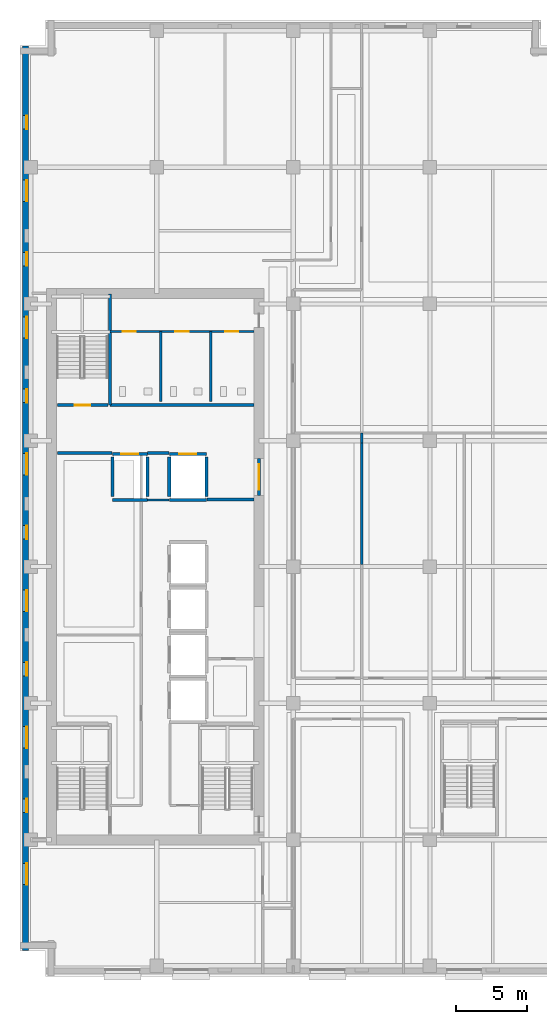
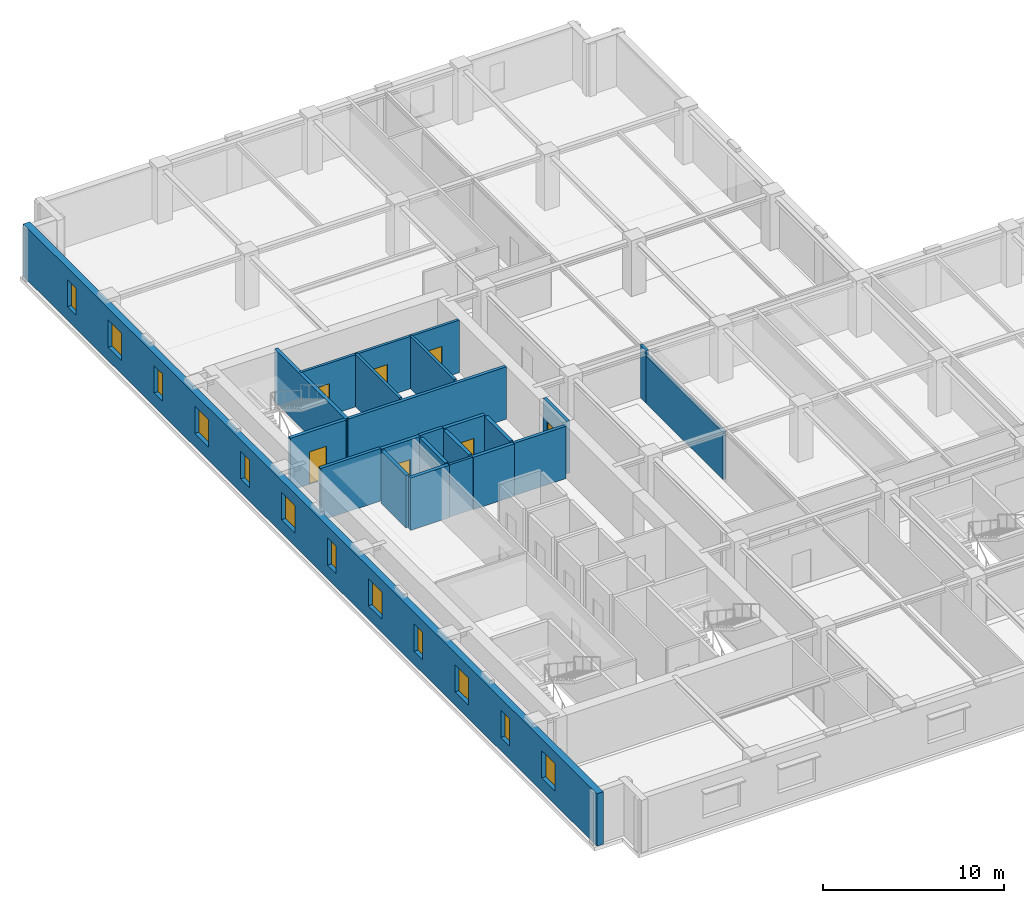
# One storey, part 6 of 13: 22 walls, 12 windows, 7 doors, 19 openings.
"""IFC4 building model written with IfcOpenShell, lengths in metres."""

from ifc_helpers import new_model, si_unit, direction, frame, frame_2d, origin, place, context, subcontext, project, spatial, rectangle, extrude, material, layer, layer_set, type_object, element, fill, save


model = new_model("IFC4")

# Units and contexts
model_context = context("Model", 3, precision=1e-05, world=origin(), true_north=direction((0.0, 1.0)))
body_context = subcontext(model_context, "Body", "Model", "MODEL_VIEW")
ifc_project = project(units=[si_unit("LENGTHUNIT", "METRE"), si_unit("AREAUNIT", "SQUARE_METRE"), si_unit("VOLUMEUNIT", "CUBIC_METRE"), si_unit("PLANEANGLEUNIT", "RADIAN"), si_unit("MASSUNIT", "GRAM", prefix="KILO")], contexts=[model_context])

# Site, building, storey
site_placement = place(None, origin())
site = spatial("IfcSite", under=ifc_project, at=site_placement, CompositionType="ELEMENT")
building_placement = place(site_placement, origin())
building = spatial("IfcBuilding", under=site, at=building_placement, Name="Norrvale University Quadrangle", CompositionType="ELEMENT")
storey_placement = place(building_placement, frame((0.0, 0.0, 175.0)))
storey = spatial("IfcBuildingStorey", under=building, at=storey_placement, Name="L44", CompositionType="ELEMENT", Elevation=175.0)

# Wall, openings, windows
ifc_material_1 = material(Name="Buff Norman Clay Brick Masonry", Category="masonry")
ifc_layer_1 = layer(ifc_material_1, 0.419921875, Name="Buff Norman Clay Brick Masonry")
ifc_layer_set_1 = layer_set([ifc_layer_1], Name="Buff Norman Clay Brick Masonry")
wall_type_1 = type_object("IfcWallType", Name="Wall Buff Brick 420", PredefinedType="SOLIDWALL", material=ifc_layer_set_1)
wall_1_placement = place(storey_placement, frame((0.389892578125, 65.360107421875, 0.0), z_axis=(0.0, 0.0, 1.0), x_axis=(0.0, -1.0, 0.0)))
wall_1 = element("IfcWall", 1, at=wall_1_placement, inside=storey, type_object=wall_type_1, Name="Exterior Brick Facade Wall L44-14.1", PredefinedType="SOLIDWALL", context=body_context, shape_type="SweptSolid", body=[
    extrude(rectangle(XDim=63.52001953125, YDim=0.419921875, at=frame_2d((31.760009765625, 0.0))), origin(), (0.0, 0.0, 1.0), 3.5400390625),
])
opening_1_placement = place(wall_1_placement, frame((4.885009765625, 0.0, 0.89990234375)))
opening_1 = element("IfcOpeningElement", 2, at=opening_1_placement, cuts=wall_1, Name="Opening W04", PredefinedType="OPENING", context=body_context, shape_type="SweptSolid", body=[
    extrude(rectangle(XDim=0.949951171875, YDim=1.85009765625, at=frame_2d((0.47509765625, 0.925048828125))), frame((0.0, 0.221923828125, 0.0), z_axis=(0.0, -1.0, 0.0), x_axis=(1.0, 0.0, 0.0)), (0.0, 0.0, 1.0), 0.44384765625),
])
opening_2_placement = place(wall_1_placement, frame((9.409912109375, 0.0, 0.89990234375)))
opening_2 = element("IfcOpeningElement", 3, at=opening_2_placement, cuts=wall_1, Name="Opening W03", PredefinedType="OPENING", context=body_context, shape_type="SweptSolid", body=[
    extrude(rectangle(XDim=1.5, YDim=1.85009765625, at=frame_2d((0.75, 0.925048828125))), frame((0.0, 0.221923828125, 0.0), z_axis=(0.0, -1.0, 0.0), x_axis=(1.0, 0.0, 0.0)), (0.0, 0.0, 1.0), 0.44384765625),
])
opening_3_placement = place(wall_1_placement, frame((14.485107421875, 0.0, 0.89990234375)))
opening_3 = element("IfcOpeningElement", 4, at=opening_3_placement, cuts=wall_1, Name="Opening W04", PredefinedType="OPENING", context=body_context, shape_type="SweptSolid", body=[
    extrude(rectangle(XDim=0.949951171875, YDim=1.85009765625, at=frame_2d((0.47509765625, 0.925048828125))), frame((0.0, 0.221923828125, 0.0), z_axis=(0.0, -1.0, 0.0), x_axis=(1.0, 0.0, 0.0)), (0.0, 0.0, 1.0), 0.44384765625),
])
opening_4_placement = place(wall_1_placement, frame((19.010009765625, 0.0, 0.89990234375)))
opening_4 = element("IfcOpeningElement", 5, at=opening_4_placement, cuts=wall_1, Name="Opening W03", PredefinedType="OPENING", context=body_context, shape_type="SweptSolid", body=[
    extrude(rectangle(XDim=1.5, YDim=1.85009765625, at=frame_2d((0.75, 0.925048828125))), frame((0.0, 0.221923828125, 0.0), z_axis=(0.0, -1.0, 0.0), x_axis=(1.0, 0.0, 0.0)), (0.0, 0.0, 1.0), 0.44384765625),
])
opening_5_placement = place(wall_1_placement, frame((24.0849609375, 0.0, 0.89990234375)))
opening_5 = element("IfcOpeningElement", 6, at=opening_5_placement, cuts=wall_1, Name="Opening W04", PredefinedType="OPENING", context=body_context, shape_type="SweptSolid", body=[
    extrude(rectangle(XDim=0.949951171875, YDim=1.85009765625, at=frame_2d((0.47509765625, 0.925048828125))), frame((0.0, 0.221923828125, 0.0), z_axis=(0.0, -1.0, 0.0), x_axis=(1.0, 0.0, 0.0)), (0.0, 0.0, 1.0), 0.44384765625),
])
opening_6_placement = place(wall_1_placement, frame((28.610107421875, 0.0, 0.89990234375)))
opening_6 = element("IfcOpeningElement", 7, at=opening_6_placement, cuts=wall_1, Name="Opening W03", PredefinedType="OPENING", context=body_context, shape_type="SweptSolid", body=[
    extrude(rectangle(XDim=1.5, YDim=1.85009765625, at=frame_2d((0.75, 0.925048828125))), frame((0.0, 0.221923828125, 0.0), z_axis=(0.0, -1.0, 0.0), x_axis=(1.0, 0.0, 0.0)), (0.0, 0.0, 1.0), 0.44384765625),
])
opening_7_placement = place(wall_1_placement, frame((33.68505859375, 0.0, 0.89990234375)))
opening_7 = element("IfcOpeningElement", 8, at=opening_7_placement, cuts=wall_1, Name="Opening W04", PredefinedType="OPENING", context=body_context, shape_type="SweptSolid", body=[
    extrude(rectangle(XDim=0.949951171875, YDim=1.85009765625, at=frame_2d((0.47509765625, 0.925048828125))), frame((0.0, 0.221923828125, 0.0), z_axis=(0.0, -1.0, 0.0), x_axis=(1.0, 0.0, 0.0)), (0.0, 0.0, 1.0), 0.44384765625),
])
opening_8_placement = place(wall_1_placement, frame((38.2099609375, 0.0, 0.89990234375)))
opening_8 = element("IfcOpeningElement", 9, at=opening_8_placement, cuts=wall_1, Name="Opening W03", PredefinedType="OPENING", context=body_context, shape_type="SweptSolid", body=[
    extrude(rectangle(XDim=1.5, YDim=1.85009765625, at=frame_2d((0.75, 0.925048828125))), frame((0.0, 0.221923828125, 0.0), z_axis=(0.0, -1.0, 0.0), x_axis=(1.0, 0.0, 0.0)), (0.0, 0.0, 1.0), 0.44384765625),
])
opening_9_placement = place(wall_1_placement, frame((43.284912109375, 0.0, 0.89990234375)))
opening_9 = element("IfcOpeningElement", 10, at=opening_9_placement, cuts=wall_1, Name="Opening W04", PredefinedType="OPENING", context=body_context, shape_type="SweptSolid", body=[
    extrude(rectangle(XDim=0.949951171875, YDim=1.85009765625, at=frame_2d((0.47509765625, 0.925048828125))), frame((0.0, 0.221923828125, 0.0), z_axis=(0.0, -1.0, 0.0), x_axis=(1.0, 0.0, 0.0)), (0.0, 0.0, 1.0), 0.44384765625),
])
opening_10_placement = place(wall_1_placement, frame((47.81005859375, 0.0, 0.89990234375)))
opening_10 = element("IfcOpeningElement", 11, at=opening_10_placement, cuts=wall_1, Name="Opening W03", PredefinedType="OPENING", context=body_context, shape_type="SweptSolid", body=[
    extrude(rectangle(XDim=1.5, YDim=1.85009765625, at=frame_2d((0.75, 0.925048828125))), frame((0.0, 0.221923828125, 0.0), z_axis=(0.0, -1.0, 0.0), x_axis=(1.0, 0.0, 0.0)), (0.0, 0.0, 1.0), 0.44384765625),
])
opening_11_placement = place(wall_1_placement, frame((52.885009765625, 0.0, 0.89990234375)))
opening_11 = element("IfcOpeningElement", 12, at=opening_11_placement, cuts=wall_1, Name="Opening W04", PredefinedType="OPENING", context=body_context, shape_type="SweptSolid", body=[
    extrude(rectangle(XDim=0.949951171875, YDim=1.85009765625, at=frame_2d((0.47509765625, 0.925048828125))), frame((0.0, 0.221923828125, 0.0), z_axis=(0.0, -1.0, 0.0), x_axis=(1.0, 0.0, 0.0)), (0.0, 0.0, 1.0), 0.44384765625),
])
opening_12_placement = place(wall_1_placement, frame((57.409912109375, 0.0, 0.89990234375)))
opening_12 = element("IfcOpeningElement", 13, at=opening_12_placement, cuts=wall_1, Name="Opening W03", PredefinedType="OPENING", context=body_context, shape_type="SweptSolid", body=[
    extrude(rectangle(XDim=1.5, YDim=1.85009765625, at=frame_2d((0.75, 0.925048828125))), frame((0.0, 0.221923828125, 0.0), z_axis=(0.0, -1.0, 0.0), x_axis=(1.0, 0.0, 0.0)), (0.0, 0.0, 1.0), 0.44384765625),
])
ifc_material_2 = material(Name="Triple Low-E Argon Glazing", Category="glass")
window_type_1 = type_object("IfcWindowType", Name="Window Narrow Pier 950x2300", PartitioningType="SINGLE_PANEL", PredefinedType="WINDOW", material=ifc_material_2)
window_1_placement = place(opening_1_placement, origin())
window_1 = element("IfcWindow", 14, at=window_1_placement, inside=storey, type_object=window_type_1, Name="Window Narrow Pier 950x2300 WIN-L44-E14-1-01", OverallHeight=1.85009765625, OverallWidth=0.949951171875, PartitioningType="SINGLE_PANEL", PredefinedType="WINDOW", context=body_context, shape_type="SweptSolid", body=[
    extrude(rectangle(XDim=0.949951171875, YDim=1.85009765625, at=frame_2d((0.47509765625, 0.925048828125))), frame((0.0, 0.110107421875, 0.0), z_axis=(0.0, -1.0, 0.0), x_axis=(1.0, 0.0, 0.0)), (0.0, 0.0, 1.0), 0.06005859375),
])
fill(opening_1, window_1)
window_2_placement = place(opening_3_placement, origin())
window_2 = element("IfcWindow", 15, at=window_2_placement, inside=storey, type_object=window_type_1, Name="Window Narrow Pier 950x2300 WIN-L44-E14-1-03", OverallHeight=1.85009765625, OverallWidth=0.949951171875, PartitioningType="SINGLE_PANEL", PredefinedType="WINDOW", context=body_context, shape_type="SweptSolid", body=[
    extrude(rectangle(XDim=0.949951171875, YDim=1.85009765625, at=frame_2d((0.47509765625, 0.925048828125))), frame((0.0, 0.110107421875, 0.0), z_axis=(0.0, -1.0, 0.0), x_axis=(1.0, 0.0, 0.0)), (0.0, 0.0, 1.0), 0.06005859375),
])
fill(opening_3, window_2)
window_3_placement = place(opening_5_placement, origin())
window_3 = element("IfcWindow", 16, at=window_3_placement, inside=storey, type_object=window_type_1, Name="Window Narrow Pier 950x2300 WIN-L44-E14-1-05", OverallHeight=1.85009765625, OverallWidth=0.949951171875, PartitioningType="SINGLE_PANEL", PredefinedType="WINDOW", context=body_context, shape_type="SweptSolid", body=[
    extrude(rectangle(XDim=0.949951171875, YDim=1.85009765625, at=frame_2d((0.47509765625, 0.925048828125))), frame((0.0, 0.110107421875, 0.0), z_axis=(0.0, -1.0, 0.0), x_axis=(1.0, 0.0, 0.0)), (0.0, 0.0, 1.0), 0.06005859375),
])
fill(opening_5, window_3)
window_4_placement = place(opening_7_placement, origin())
window_4 = element("IfcWindow", 17, at=window_4_placement, inside=storey, type_object=window_type_1, Name="Window Narrow Pier 950x2300 WIN-L44-E14-1-07", OverallHeight=1.85009765625, OverallWidth=0.949951171875, PartitioningType="SINGLE_PANEL", PredefinedType="WINDOW", context=body_context, shape_type="SweptSolid", body=[
    extrude(rectangle(XDim=0.949951171875, YDim=1.85009765625, at=frame_2d((0.47509765625, 0.925048828125))), frame((0.0, 0.110107421875, 0.0), z_axis=(0.0, -1.0, 0.0), x_axis=(1.0, 0.0, 0.0)), (0.0, 0.0, 1.0), 0.06005859375),
])
fill(opening_7, window_4)
window_5_placement = place(opening_9_placement, origin())
window_5 = element("IfcWindow", 18, at=window_5_placement, inside=storey, type_object=window_type_1, Name="Window Narrow Pier 950x2300 WIN-L44-E14-1-09", OverallHeight=1.85009765625, OverallWidth=0.949951171875, PartitioningType="SINGLE_PANEL", PredefinedType="WINDOW", context=body_context, shape_type="SweptSolid", body=[
    extrude(rectangle(XDim=0.949951171875, YDim=1.85009765625, at=frame_2d((0.47509765625, 0.925048828125))), frame((0.0, 0.110107421875, 0.0), z_axis=(0.0, -1.0, 0.0), x_axis=(1.0, 0.0, 0.0)), (0.0, 0.0, 1.0), 0.06005859375),
])
fill(opening_9, window_5)
window_6_placement = place(opening_11_placement, origin())
window_6 = element("IfcWindow", 19, at=window_6_placement, inside=storey, type_object=window_type_1, Name="Window Narrow Pier 950x2300 WIN-L44-E14-1-11", OverallHeight=1.85009765625, OverallWidth=0.949951171875, PartitioningType="SINGLE_PANEL", PredefinedType="WINDOW", context=body_context, shape_type="SweptSolid", body=[
    extrude(rectangle(XDim=0.949951171875, YDim=1.85009765625, at=frame_2d((0.47509765625, 0.925048828125))), frame((0.0, 0.110107421875, 0.0), z_axis=(0.0, -1.0, 0.0), x_axis=(1.0, 0.0, 0.0)), (0.0, 0.0, 1.0), 0.06005859375),
])
fill(opening_11, window_6)
window_type_2 = type_object("IfcWindowType", Name="Window Studio 1500x2300", PartitioningType="DOUBLE_PANEL_VERTICAL", PredefinedType="WINDOW", material=ifc_material_2)
window_7_placement = place(opening_2_placement, origin())
window_7 = element("IfcWindow", 20, at=window_7_placement, inside=storey, type_object=window_type_2, Name="Window Studio 1500x2300 WIN-L44-E14-1-02", OverallHeight=1.85009765625, OverallWidth=1.5, PartitioningType="DOUBLE_PANEL_VERTICAL", PredefinedType="WINDOW", context=body_context, shape_type="SweptSolid", body=[
    extrude(rectangle(XDim=1.5, YDim=1.85009765625, at=frame_2d((0.75, 0.925048828125))), frame((0.0, 0.110107421875, 0.0), z_axis=(0.0, -1.0, 0.0), x_axis=(1.0, 0.0, 0.0)), (0.0, 0.0, 1.0), 0.06005859375),
])
fill(opening_2, window_7)
window_8_placement = place(opening_4_placement, origin())
window_8 = element("IfcWindow", 21, at=window_8_placement, inside=storey, type_object=window_type_2, Name="Window Studio 1500x2300 WIN-L44-E14-1-04", OverallHeight=1.85009765625, OverallWidth=1.5, PartitioningType="DOUBLE_PANEL_VERTICAL", PredefinedType="WINDOW", context=body_context, shape_type="SweptSolid", body=[
    extrude(rectangle(XDim=1.5, YDim=1.85009765625, at=frame_2d((0.75, 0.925048828125))), frame((0.0, 0.110107421875, 0.0), z_axis=(0.0, -1.0, 0.0), x_axis=(1.0, 0.0, 0.0)), (0.0, 0.0, 1.0), 0.06005859375),
])
fill(opening_4, window_8)
window_9_placement = place(opening_6_placement, origin())
window_9 = element("IfcWindow", 22, at=window_9_placement, inside=storey, type_object=window_type_2, Name="Window Studio 1500x2300 WIN-L44-E14-1-06", OverallHeight=1.85009765625, OverallWidth=1.5, PartitioningType="DOUBLE_PANEL_VERTICAL", PredefinedType="WINDOW", context=body_context, shape_type="SweptSolid", body=[
    extrude(rectangle(XDim=1.5, YDim=1.85009765625, at=frame_2d((0.75, 0.925048828125))), frame((0.0, 0.110107421875, 0.0), z_axis=(0.0, -1.0, 0.0), x_axis=(1.0, 0.0, 0.0)), (0.0, 0.0, 1.0), 0.06005859375),
])
fill(opening_6, window_9)
window_10_placement = place(opening_8_placement, origin())
window_10 = element("IfcWindow", 23, at=window_10_placement, inside=storey, type_object=window_type_2, Name="Window Studio 1500x2300 WIN-L44-E14-1-08", OverallHeight=1.85009765625, OverallWidth=1.5, PartitioningType="DOUBLE_PANEL_VERTICAL", PredefinedType="WINDOW", context=body_context, shape_type="SweptSolid", body=[
    extrude(rectangle(XDim=1.5, YDim=1.85009765625, at=frame_2d((0.75, 0.925048828125))), frame((0.0, 0.110107421875, 0.0), z_axis=(0.0, -1.0, 0.0), x_axis=(1.0, 0.0, 0.0)), (0.0, 0.0, 1.0), 0.06005859375),
])
fill(opening_8, window_10)
window_11_placement = place(opening_10_placement, origin())
window_11 = element("IfcWindow", 24, at=window_11_placement, inside=storey, type_object=window_type_2, Name="Window Studio 1500x2300 WIN-L44-E14-1-10", OverallHeight=1.85009765625, OverallWidth=1.5, PartitioningType="DOUBLE_PANEL_VERTICAL", PredefinedType="WINDOW", context=body_context, shape_type="SweptSolid", body=[
    extrude(rectangle(XDim=1.5, YDim=1.85009765625, at=frame_2d((0.75, 0.925048828125))), frame((0.0, 0.110107421875, 0.0), z_axis=(0.0, -1.0, 0.0), x_axis=(1.0, 0.0, 0.0)), (0.0, 0.0, 1.0), 0.06005859375),
])
fill(opening_10, window_11)
window_12_placement = place(opening_12_placement, origin())
window_12 = element("IfcWindow", 25, at=window_12_placement, inside=storey, type_object=window_type_2, Name="Window Studio 1500x2300 WIN-L44-E14-1-12", OverallHeight=1.85009765625, OverallWidth=1.5, PartitioningType="DOUBLE_PANEL_VERTICAL", PredefinedType="WINDOW", context=body_context, shape_type="SweptSolid", body=[
    extrude(rectangle(XDim=1.5, YDim=1.85009765625, at=frame_2d((0.75, 0.925048828125))), frame((0.0, 0.110107421875, 0.0), z_axis=(0.0, -1.0, 0.0), x_axis=(1.0, 0.0, 0.0)), (0.0, 0.0, 1.0), 0.06005859375),
])
fill(opening_12, window_12)

# Walls
ifc_material_3 = material(Name="Fire-Rated Gypsum Stud Partition")
ifc_layer_2 = layer(ifc_material_3, 0.14990234375, Name="Fire-Rated Gypsum Stud Partition")
ifc_layer_set_2 = layer_set([ifc_layer_2], Name="Fire-Rated Gypsum Stud Partition")
wall_type_2 = type_object("IfcWallType", Name="Wall Gypsum Corridor 150", PredefinedType="PARTITIONING", material=ifc_layer_set_2)
wall_2_placement = place(storey_placement, frame((8.965087890625, 33.489990234375, 0.0), z_axis=(0.0, 0.0, 1.0), x_axis=(1.0, 0.0, 0.0)))
element("IfcWall", 26, at=wall_2_placement, inside=storey, type_object=wall_type_2, Name="Interior Partition WL-L44-LL3", PredefinedType="PARTITIONING", context=body_context, shape_type="SweptSolid", body=[
    extrude(rectangle(XDim=1.52001953125, YDim=0.14990234375, at=frame_2d((0.760009765625, 0.0))), origin(), (0.0, 0.0, 1.0), 3.5400390625),
])
ifc_material_4 = material(Name="Acoustic Double-Stud Gypsum Partition")
ifc_layer_3 = layer(ifc_material_4, 0.179931640625, Name="Acoustic Double-Stud Gypsum Partition")
ifc_layer_set_3 = layer_set([ifc_layer_3], Name="Acoustic Double-Stud Gypsum Partition")
wall_type_3 = type_object("IfcWallType", Name="Wall Gypsum Lecture 180", PredefinedType="PARTITIONING", material=ifc_layer_set_3)
wall_3_placement = place(storey_placement, frame((24.0, 28.952392578125, 0.0), z_axis=(0.0, 0.0, 1.0), x_axis=(0.0, 1.0, 0.0)))
element("IfcWall", 27, at=wall_3_placement, inside=storey, type_object=wall_type_3, Name="Interior Partition WL-L44-MEP01-B3", PredefinedType="PARTITIONING", context=body_context, shape_type="SweptSolid", body=[
    extrude(rectangle(XDim=8.545166015625, YDim=0.179931640625, at=frame_2d((4.2724609375, 0.0))), origin(), (0.0, 0.0, 1.0), 3.222900390625),
])
wall_4_placement = place(storey_placement, frame((24.0, 37.49755859375, 0.0), z_axis=(0.0, 0.0, 1.0), x_axis=(0.0, 1.0, 0.0)))
element("IfcWall", 28, at=wall_4_placement, inside=storey, type_object=wall_type_3, Name="Interior Partition WL-L44-MEP01-B4", PredefinedType="PARTITIONING", context=body_context, shape_type="SweptSolid", body=[
    extrude(rectangle(XDim=0.682373046875, YDim=0.179931640625, at=frame_2d((0.34130859375, 0.0))), origin(), (0.0, 0.0, 1.0), 3.5400390625),
])

# Wall, openings, doors
ifc_material_5 = material(Name="Sanitary Chase Gypsum Partition")
ifc_layer_4 = layer(ifc_material_5, 0.1650390625, Name="Sanitary Chase Gypsum Partition")
ifc_layer_set_4 = layer_set([ifc_layer_4], Name="Sanitary Chase Gypsum Partition")
wall_type_4 = type_object("IfcWallType", Name="Wall Gypsum Sanitary 165", PredefinedType="PLUMBINGWALL", material=ifc_layer_set_4)
wall_5_placement = place(storey_placement, frame((6.320068359375, 45.320068359375, 0.0), z_axis=(0.0, 0.0, 1.0), x_axis=(1.0, 0.0, 0.0)))
wall_5 = element("IfcWall", 29, at=wall_5_placement, inside=storey, type_object=wall_type_4, Name="Interior Partition WL-L44-WCN", PredefinedType="PLUMBINGWALL", context=body_context, shape_type="SweptSolid", body=[
    extrude(rectangle(XDim=10.1298828125, YDim=0.1650390625, at=frame_2d((5.06494140625, 0.0))), origin(), (0.0, 0.0, 1.0), 3.5400390625),
])
opening_13_placement = place(wall_5_placement, frame((0.89990234375, 0.0, 0.0)))
opening_13 = element("IfcOpeningElement", 30, at=opening_13_placement, cuts=wall_5, Name="Opening D08", PredefinedType="OPENING", context=body_context, shape_type="SweptSolid", body=[
    extrude(rectangle(XDim=0.919921875, YDim=2.14990234375, at=frame_2d((0.4599609375, 1.074951171875))), frame((0.0, 0.094482421875, 0.0), z_axis=(0.0, -1.0, 0.0), x_axis=(1.0, 0.0, 0.0)), (0.0, 0.0, 1.0), 0.18896484375),
])
opening_14_placement = place(wall_5_placement, frame((4.60009765625, 0.0, 0.0)))
opening_14 = element("IfcOpeningElement", 31, at=opening_14_placement, cuts=wall_5, Name="Opening D08", PredefinedType="OPENING", context=body_context, shape_type="SweptSolid", body=[
    extrude(rectangle(XDim=0.919921875, YDim=2.14990234375, at=frame_2d((0.4599609375, 1.074951171875))), frame((0.0, 0.094482421875, 0.0), z_axis=(0.0, -1.0, 0.0), x_axis=(1.0, 0.0, 0.0)), (0.0, 0.0, 1.0), 0.18896484375),
])
opening_15_placement = place(wall_5_placement, frame((8.10009765625, 0.0, 0.0)))
opening_15 = element("IfcOpeningElement", 32, at=opening_15_placement, cuts=wall_5, Name="Opening D08", PredefinedType="OPENING", context=body_context, shape_type="SweptSolid", body=[
    extrude(rectangle(XDim=0.919921875, YDim=2.14990234375, at=frame_2d((0.4599609375, 1.074951171875))), frame((0.0, 0.094482421875, 0.0), z_axis=(0.0, -1.0, 0.0), x_axis=(1.0, 0.0, 0.0)), (0.0, 0.0, 1.0), 0.18896484375),
])
ifc_material_6 = material(Name="Laminate Washroom Door", Category="wood")
door_type_1 = type_object("IfcDoorType", Name="Door Washroom 920x2150", OperationType="NOTDEFINED", PredefinedType="DOOR", material=ifc_material_6)
door_1_placement = place(opening_13_placement, origin())
door_1 = element("IfcDoor", 33, at=door_1_placement, inside=storey, type_object=door_type_1, Name="Door Washroom 920x2150 DR-L44-WC1", OperationType="SINGLE_SWING_LEFT", OverallHeight=2.14990234375, OverallWidth=0.919921875, PredefinedType="DOOR", context=body_context, shape_type="SweptSolid", body=[
    extrude(rectangle(XDim=0.919921875, YDim=2.14990234375, at=frame_2d((0.4599609375, 1.074951171875))), frame((0.0, 0.02490234375, 0.0), z_axis=(0.0, -1.0, 0.0), x_axis=(1.0, 0.0, 0.0)), (0.0, 0.0, 1.0), 0.050048828125),
])
fill(opening_13, door_1)
door_2_placement = place(opening_14_placement, origin())
door_2 = element("IfcDoor", 34, at=door_2_placement, inside=storey, type_object=door_type_1, Name="Door Washroom 920x2150 DR-L44-WC2", OperationType="SINGLE_SWING_RIGHT", OverallHeight=2.14990234375, OverallWidth=0.919921875, PredefinedType="DOOR", context=body_context, shape_type="SweptSolid", body=[
    extrude(rectangle(XDim=0.919921875, YDim=2.14990234375, at=frame_2d((0.4599609375, 1.074951171875))), frame((0.0, 0.02490234375, 0.0), z_axis=(0.0, -1.0, 0.0), x_axis=(1.0, 0.0, 0.0)), (0.0, 0.0, 1.0), 0.050048828125),
])
fill(opening_14, door_2)
door_3_placement = place(opening_15_placement, origin())
door_3 = element("IfcDoor", 35, at=door_3_placement, inside=storey, type_object=door_type_1, Name="Door Washroom 920x2150 DR-L44-WC3", OperationType="SINGLE_SWING_LEFT", OverallHeight=2.14990234375, OverallWidth=0.919921875, PredefinedType="DOOR", context=body_context, shape_type="SweptSolid", body=[
    extrude(rectangle(XDim=0.919921875, YDim=2.14990234375, at=frame_2d((0.4599609375, 1.074951171875))), frame((0.0, 0.02490234375, 0.0), z_axis=(0.0, -1.0, 0.0), x_axis=(1.0, 0.0, 0.0)), (0.0, 0.0, 1.0), 0.050048828125),
])
fill(opening_15, door_3)

# Walls
for number, where, z_axis, x_axis, name in (
    (36, (9.89990234375, 40.39990234375, 0.0), (0.0, 0.0, 1.0), (0.0, 1.0, 0.0), "Interior Partition WL-L44-WCM1"),
    (37, (13.39990234375, 40.39990234375, 0.0), (0.0, 0.0, 1.0), (0.0, 1.0, 0.0), "Interior Partition WL-L44-WCM2"),
):
    element("IfcWall", number, at=place(storey_placement, frame(where, z_axis=z_axis, x_axis=x_axis)), inside=storey, type_object=wall_type_4, Name=name, PredefinedType="PLUMBINGWALL", context=body_context, shape_type="SweptSolid", body=[
        extrude(rectangle(XDim=4.920166015625, YDim=0.1650390625, at=frame_2d((2.4599609375, 0.0))), origin(), (0.0, 0.0, 1.0), 3.5400390625),
    ])
ifc_material_7 = material(Name="Concrete Blockwork 20 MPa Rated Wall", Category="masonry")
ifc_layer_5 = layer(ifc_material_7, 0.199951171875, Name="Concrete Blockwork 20 MPa Rated Wall")
ifc_layer_set_5 = layer_set([ifc_layer_5], Name="Concrete Blockwork 20 MPa Rated Wall")
wall_type_5 = type_object("IfcWallType", Name="Wall Lobby 200", PredefinedType="SOLIDWALL", material=ifc_layer_set_5)
wall_6_placement = place(storey_placement, frame((2.64990234375, 36.780029296875, 0.0), z_axis=(0.0, 0.0, 1.0), x_axis=(1.0, 0.0, 0.0)))
element("IfcWall", 38, at=wall_6_placement, inside=storey, type_object=wall_type_5, Name="Interior Partition WL-L44-FF1", PredefinedType="SOLIDWALL", context=body_context, shape_type="SweptSolid", body=[
    extrude(rectangle(XDim=3.830078125, YDim=0.199951171875, at=frame_2d((1.9150390625, 0.0))), origin(), (0.0, 0.0, 1.0), 3.5400390625),
])
wall_7_placement = place(storey_placement, frame((8.969970703125, 36.780029296875, 0.0), z_axis=(0.0, 0.0, 1.0), x_axis=(1.0, 0.0, 0.0)))
element("IfcWall", 39, at=wall_7_placement, inside=storey, type_object=wall_type_5, Name="Interior Partition WL-L44-FF2", PredefinedType="SOLIDWALL", context=body_context, shape_type="SweptSolid", body=[
    extrude(rectangle(XDim=1.510009765625, YDim=0.199951171875, at=frame_2d((0.7548828125, 0.0))), origin(), (0.0, 0.0, 1.0), 3.5400390625),
])
wall_8_placement = place(storey_placement, frame((13.1201171875, 33.52001953125, 0.0), z_axis=(0.0, 0.0, 1.0), x_axis=(1.0, 0.0, 0.0)))
element("IfcWall", 40, at=wall_8_placement, inside=storey, type_object=wall_type_5, Name="Interior Partition WL-L44-FF3", PredefinedType="SOLIDWALL", context=body_context, shape_type="SweptSolid", body=[
    extrude(rectangle(XDim=3.329833984375, YDim=0.199951171875, at=frame_2d((1.6650390625, 0.0))), origin(), (0.0, 0.0, 1.0), 3.5400390625),
])
wall_9_placement = place(storey_placement, frame((6.320068359375, 40.139892578125, 0.0), z_axis=(0.0, 0.0, 1.0), x_axis=(1.0, 0.0, 0.0)))
element("IfcWall", 41, at=wall_9_placement, inside=storey, type_object=wall_type_5, Name="Interior Partition WL-L44-FF4", PredefinedType="SOLIDWALL", context=body_context, shape_type="SweptSolid", body=[
    extrude(rectangle(XDim=10.1298828125, YDim=0.199951171875, at=frame_2d((5.06494140625, 0.0))), origin(), (0.0, 0.0, 1.0), 3.5400390625),
])

# Wall, opening, door
wall_10_placement = place(storey_placement, frame((16.800048828125, 33.800048828125, 0.0), z_axis=(0.0, 0.0, 1.0), x_axis=(0.0, 1.0, 0.0)))
wall_10 = element("IfcWall", 42, at=wall_10_placement, inside=storey, type_object=wall_type_5, Name="Interior Partition WL-L44-FFP", PredefinedType="SOLIDWALL", context=body_context, shape_type="SweptSolid", body=[
    extrude(rectangle(XDim=2.599853515625, YDim=0.199951171875, at=frame_2d((1.2998046875, 0.0))), origin(), (0.0, 0.0, 1.0), 3.5400390625),
])
opening_16_placement = place(wall_10_placement, frame((0.39990234375, 0.0, 0.0)))
opening_16 = element("IfcOpeningElement", 43, at=opening_16_placement, cuts=wall_10, Name="Opening D03", PredefinedType="OPENING", context=body_context, shape_type="SweptSolid", body=[
    extrude(rectangle(XDim=1.800048828125, YDim=2.199951171875, at=frame_2d((0.89990234375, 1.10009765625))), frame((0.0, 0.112060546875, 0.0), z_axis=(0.0, -1.0, 0.0), x_axis=(1.0, 0.0, 0.0)), (0.0, 0.0, 1.0), 0.223876953125),
])
ifc_material_8 = material(Name="Hollow Steel 350W Fire Door", Category="steel")
door_type_2 = type_object("IfcDoorType", Name="Door Fire Lobby 1800x2200", OperationType="DOUBLE_DOOR_SINGLE_SWING", PredefinedType="DOOR", material=ifc_material_8)
door_4_placement = place(opening_16_placement, origin())
door_4 = element("IfcDoor", 44, at=door_4_placement, inside=storey, type_object=door_type_2, Name="Door Fire Lobby 1800x2200 DR-L44-FFP", OperationType="DOUBLE_DOOR_SINGLE_SWING", OverallHeight=2.199951171875, OverallWidth=1.800048828125, PredefinedType="DOOR", context=body_context, shape_type="SweptSolid", body=[
    extrude(rectangle(XDim=1.800048828125, YDim=2.199951171875, at=frame_2d((0.89990234375, 1.10009765625))), frame((0.0, 0.02490234375, 0.0), z_axis=(0.0, -1.0, 0.0), x_axis=(1.0, 0.0, 0.0)), (0.0, 0.0, 1.0), 0.050048828125),
])
fill(opening_16, door_4)

ifc_material_9 = material(Name="Concrete Blockwork 20 MPa Fire Shaft", Category="masonry")
ifc_layer_6 = layer(ifc_material_9, 0.219970703125, Name="Concrete Blockwork 20 MPa Fire Shaft")
ifc_layer_set_6 = layer_set([ifc_layer_6], Name="Concrete Blockwork 20 MPa Fire Shaft")
wall_type_6 = type_object("IfcWallType", Name="Wall Shaft 220", PredefinedType="SOLIDWALL", material=ifc_layer_set_6)
wall_11_placement = place(storey_placement, frame((2.64990234375, 40.139892578125, 0.0), z_axis=(0.0, 0.0, 1.0), x_axis=(1.0, 0.0, 0.0)))
wall_11 = element("IfcWall", 45, at=wall_11_placement, inside=storey, type_object=wall_type_6, Name="Stair ST-02 South Shaft Wall L44", PredefinedType="SOLIDWALL", context=body_context, shape_type="SweptSolid", body=[
    extrude(rectangle(XDim=3.550048828125, YDim=0.219970703125, at=frame_2d((1.77490234375, 0.0))), origin(), (0.0, 0.0, 1.0), 3.5400390625),
])
opening_17_placement = place(wall_11_placement, frame((1.199951171875, 0.0, 0.0)))
opening_17 = element("IfcOpeningElement", 46, at=opening_17_placement, cuts=wall_11, Name="Opening D02", PredefinedType="OPENING", context=body_context, shape_type="SweptSolid", body=[
    extrude(rectangle(XDim=1.10009765625, YDim=2.199951171875, at=frame_2d((0.550048828125, 1.10009765625))), frame((0.0, 0.1220703125, 0.0), z_axis=(0.0, -1.0, 0.0), x_axis=(1.0, 0.0, 0.0)), (0.0, 0.0, 1.0), 0.243896484375),
])
door_type_3 = type_object("IfcDoorType", Name="Door Stair Exit 1100x2200", OperationType="NOTDEFINED", PredefinedType="DOOR", material=ifc_material_8)
door_5_placement = place(opening_17_placement, origin())
door_5 = element("IfcDoor", 47, at=door_5_placement, inside=storey, type_object=door_type_3, Name="Door Stair Exit 1100x2200 DR-L44-ST02", OperationType="SINGLE_SWING_LEFT", OverallHeight=2.199951171875, OverallWidth=1.10009765625, PredefinedType="DOOR", context=body_context, shape_type="SweptSolid", body=[
    extrude(rectangle(XDim=1.10009765625, YDim=2.199951171875, at=frame_2d((0.550048828125, 1.10009765625))), frame((0.0, 0.02490234375, 0.0), z_axis=(0.0, -1.0, 0.0), x_axis=(1.0, 0.0, 0.0)), (0.0, 0.0, 1.0), 0.050048828125),
])
fill(opening_17, door_5)

# Walls
wall_12_placement = place(storey_placement, frame((6.31005859375, 40.139892578125, 0.0), z_axis=(0.0, 0.0, 1.0), x_axis=(0.0, 1.0, 0.0)))
element("IfcWall", 48, at=wall_12_placement, inside=storey, type_object=wall_type_6, Name="Stair ST-02 East Shaft Wall L44", PredefinedType="SOLIDWALL", context=body_context, shape_type="SweptSolid", body=[
    extrude(rectangle(XDim=7.81005859375, YDim=0.219970703125, at=frame_2d((3.905029296875, 0.0))), origin(), (0.0, 0.0, 1.0), 3.5400390625),
])
for number, where, z_axis, x_axis, name in (
    (49, (6.489990234375, 33.7099609375, 0.0), (0.0, 0.0, 1.0), (0.0, 1.0, 0.0), "Hoistway FFL-01 West Wall L44"),
    (50, (8.9599609375, 33.7099609375, 0.0), (0.0, 0.0, 1.0), (0.0, 1.0, 0.0), "Hoistway FFL-01 East Wall L44"),
):
    element("IfcWall", number, at=place(storey_placement, frame(where, z_axis=z_axis, x_axis=x_axis)), inside=storey, type_object=wall_type_6, Name=name, PredefinedType="SOLIDWALL", context=body_context, shape_type="SweptSolid", body=[
        extrude(rectangle(XDim=2.780029296875, YDim=0.219970703125, at=frame_2d((1.39013671875, 0.0))), origin(), (0.0, 0.0, 1.0), 3.5400390625),
    ])
wall_13_placement = place(storey_placement, frame((6.489990234375, 33.489990234375, 0.0), z_axis=(0.0, 0.0, 1.0), x_axis=(1.0, 0.0, 0.0)))
element("IfcWall", 51, at=wall_13_placement, inside=storey, type_object=wall_type_6, Name="Hoistway FFL-01 South Wall L44", PredefinedType="SOLIDWALL", context=body_context, shape_type="SweptSolid", body=[
    extrude(rectangle(XDim=2.469970703125, YDim=0.219970703125, at=frame_2d((1.23486328125, 0.0))), origin(), (0.0, 0.0, 1.0), 3.5400390625),
])

# Wall, opening, door
wall_14_placement = place(storey_placement, frame((6.489990234375, 36.7099609375, 0.0), z_axis=(0.0, 0.0, 1.0), x_axis=(1.0, 0.0, 0.0)))
wall_14 = element("IfcWall", 52, at=wall_14_placement, inside=storey, type_object=wall_type_6, Name="Hoistway FFL-01 North Wall L44", PredefinedType="SOLIDWALL", context=body_context, shape_type="SweptSolid", body=[
    extrude(rectangle(XDim=2.469970703125, YDim=0.219970703125, at=frame_2d((1.23486328125, 0.0))), origin(), (0.0, 0.0, 1.0), 3.5400390625),
])
opening_18_placement = place(wall_14_placement, frame((0.635009765625, 0.0, 0.0)))
opening_18 = element("IfcOpeningElement", 53, at=opening_18_placement, cuts=wall_14, Name="Opening LD2", PredefinedType="OPENING", context=body_context, shape_type="SweptSolid", body=[
    extrude(rectangle(XDim=1.199951171875, YDim=2.199951171875, at=frame_2d((0.60009765625, 1.10009765625))), frame((0.0, 0.1220703125, 0.0), z_axis=(0.0, -1.0, 0.0), x_axis=(1.0, 0.0, 0.0)), (0.0, 0.0, 1.0), 0.243896484375),
])
ifc_material_10 = material(Name="Stainless Steel 316L Firefighter Lift Door", Category="steel")
door_type_4 = type_object("IfcDoorType", Name="Door Fire Lift 1200x2200", OperationType="DOUBLE_DOOR_SLIDING", PredefinedType="DOOR", material=ifc_material_10)
door_6_placement = place(opening_18_placement, origin())
door_6 = element("IfcDoor", 54, at=door_6_placement, inside=storey, type_object=door_type_4, Name="Elevator Landing Door DR-L44-FFL-01", OperationType="DOUBLE_DOOR_SLIDING", OverallHeight=2.199951171875, OverallWidth=1.199951171875, PredefinedType="DOOR", context=body_context, shape_type="SweptSolid", body=[
    extrude(rectangle(XDim=1.199951171875, YDim=2.199951171875, at=frame_2d((0.60009765625, 1.10009765625))), frame((0.0, 0.02490234375, 0.0), z_axis=(0.0, -1.0, 0.0), x_axis=(1.0, 0.0, 0.0)), (0.0, 0.0, 1.0), 0.050048828125),
])
fill(opening_18, door_6)

# Walls
for number, where, z_axis, x_axis, name in (
    (55, (10.489990234375, 33.7099609375, 0.0), (0.0, 0.0, 1.0), (0.0, 1.0, 0.0), "Hoistway FFL-02 West Wall L44"),
    (56, (13.110107421875, 33.7099609375, 0.0), (0.0, 0.0, 1.0), (0.0, 1.0, 0.0), "Hoistway FFL-02 East Wall L44"),
):
    element("IfcWall", number, at=place(storey_placement, frame(where, z_axis=z_axis, x_axis=x_axis)), inside=storey, type_object=wall_type_6, Name=name, PredefinedType="SOLIDWALL", context=body_context, shape_type="SweptSolid", body=[
        extrude(rectangle(XDim=2.780029296875, YDim=0.219970703125, at=frame_2d((1.39013671875, 0.0))), origin(), (0.0, 0.0, 1.0), 3.5400390625),
    ])
wall_15_placement = place(storey_placement, frame((10.489990234375, 33.489990234375, 0.0), z_axis=(0.0, 0.0, 1.0), x_axis=(1.0, 0.0, 0.0)))
element("IfcWall", 57, at=wall_15_placement, inside=storey, type_object=wall_type_6, Name="Hoistway FFL-02 South Wall L44", PredefinedType="SOLIDWALL", context=body_context, shape_type="SweptSolid", body=[
    extrude(rectangle(XDim=2.6201171875, YDim=0.219970703125, at=frame_2d((1.31005859375, 0.0))), origin(), (0.0, 0.0, 1.0), 3.5400390625),
])

# Wall, opening, door
wall_16_placement = place(storey_placement, frame((10.489990234375, 36.7099609375, 0.0), z_axis=(0.0, 0.0, 1.0), x_axis=(1.0, 0.0, 0.0)))
wall_16 = element("IfcWall", 58, at=wall_16_placement, inside=storey, type_object=wall_type_6, Name="Hoistway FFL-02 North Wall L44", PredefinedType="SOLIDWALL", context=body_context, shape_type="SweptSolid", body=[
    extrude(rectangle(XDim=2.6201171875, YDim=0.219970703125, at=frame_2d((1.31005859375, 0.0))), origin(), (0.0, 0.0, 1.0), 3.5400390625),
])
opening_19_placement = place(wall_16_placement, frame((0.7099609375, 0.0, 0.0)))
opening_19 = element("IfcOpeningElement", 59, at=opening_19_placement, cuts=wall_16, Name="Opening LD2", PredefinedType="OPENING", context=body_context, shape_type="SweptSolid", body=[
    extrude(rectangle(XDim=1.199951171875, YDim=2.199951171875, at=frame_2d((0.60009765625, 1.10009765625))), frame((0.0, 0.1220703125, 0.0), z_axis=(0.0, -1.0, 0.0), x_axis=(1.0, 0.0, 0.0)), (0.0, 0.0, 1.0), 0.243896484375),
])
door_7_placement = place(opening_19_placement, origin())
door_7 = element("IfcDoor", 60, at=door_7_placement, inside=storey, type_object=door_type_4, Name="Elevator Landing Door DR-L44-FFL-02", OperationType="DOUBLE_DOOR_SLIDING", OverallHeight=2.199951171875, OverallWidth=1.199951171875, PredefinedType="DOOR", context=body_context, shape_type="SweptSolid", body=[
    extrude(rectangle(XDim=1.199951171875, YDim=2.199951171875, at=frame_2d((0.60009765625, 1.10009765625))), frame((0.0, 0.02490234375, 0.0), z_axis=(0.0, -1.0, 0.0), x_axis=(1.0, 0.0, 0.0)), (0.0, 0.0, 1.0), 0.050048828125),
])
fill(opening_19, door_7)

save(model, "model.ifc")
